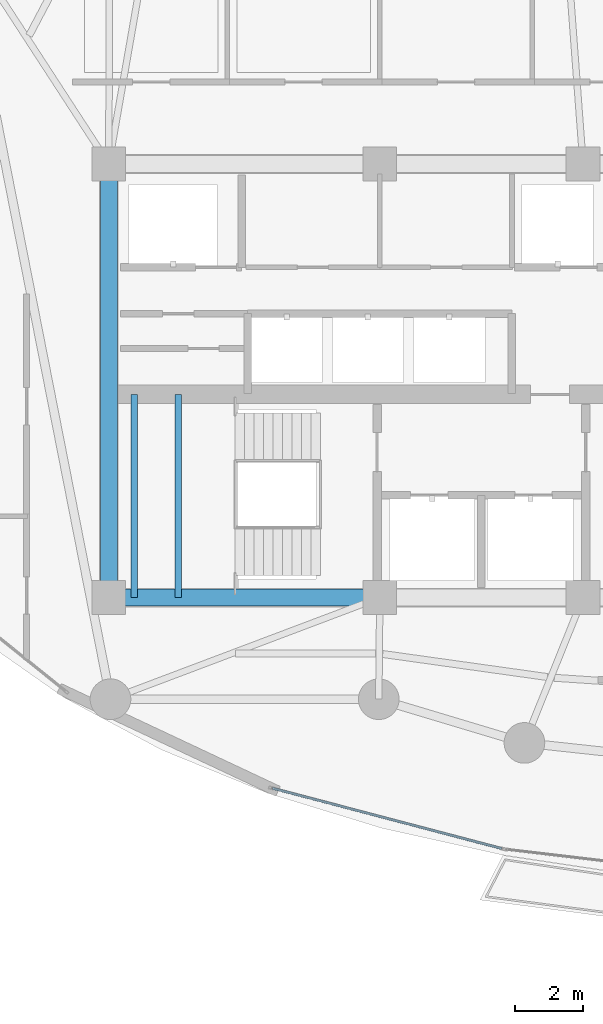
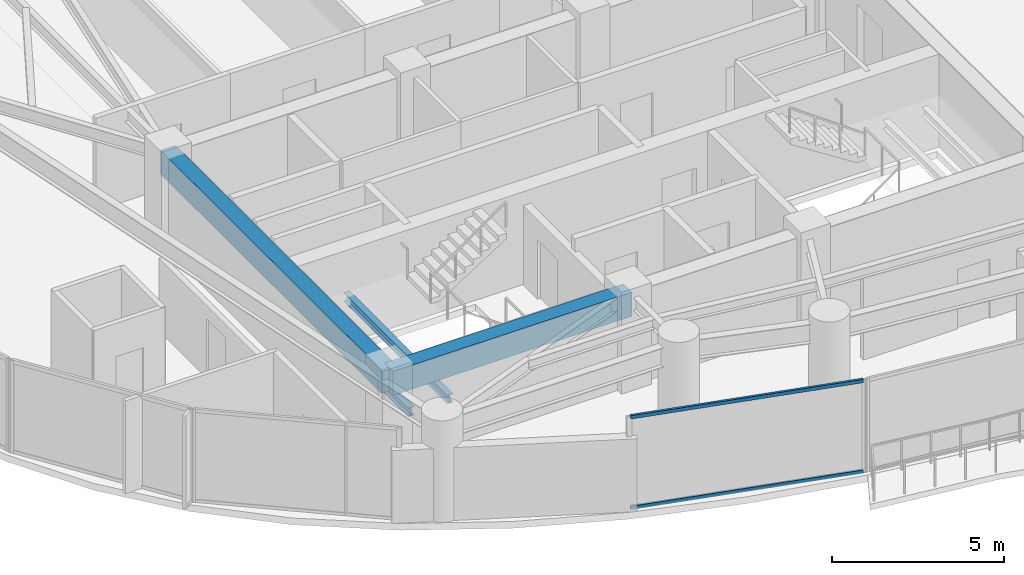
# One storey, part 4 of 33: 4 beams, 2 members, 1 element without a shape of its own.
"""IFC4 building model written with IfcOpenShell, lengths in metres."""

from ifc_helpers import new_model, si_unit, direction, frame, origin, origin_2d, place, context, subcontext, project, spatial, rectangle, hollow_rectangle, i_section, extrude, material, layer, layer_set, material_profile, profile_set, type_object, element, aggregate, save


model = new_model("IFC4")

# Units and contexts
model_context = context("Model", 3, precision=1e-05, world=origin(), true_north=direction((0.0, 1.0)))
body_context = subcontext(model_context, "Body", "Model", "MODEL_VIEW")
ifc_project = project(units=[si_unit("LENGTHUNIT", "METRE"), si_unit("AREAUNIT", "SQUARE_METRE"), si_unit("VOLUMEUNIT", "CUBIC_METRE"), si_unit("PLANEANGLEUNIT", "RADIAN"), si_unit("MASSUNIT", "GRAM", prefix="KILO")], contexts=[model_context])

# Site, building, storey
site_placement = place(None, origin())
site = spatial("IfcSite", under=ifc_project, at=site_placement, CompositionType="ELEMENT")
building_placement = place(site_placement, origin())
building = spatial("IfcBuilding", under=site, at=building_placement, Name="Kazevale Care Tower and Concert Hall", CompositionType="ELEMENT")
storey_placement = place(building_placement, frame((0.0, 0.0, 178.199951171875)))
storey = spatial("IfcBuildingStorey", under=building, at=storey_placement, Name="L47", CompositionType="ELEMENT", Elevation=178.199951171875)

# Curtain wall, members
ifc_material_1 = material(Name="Aluminium 6063-T6 and Low-E Glass", Category="aluminium")
ifc_layer = layer(ifc_material_1, 0.179931640625)
ifc_layer_set = layer_set([ifc_layer], Name="Aluminium 6063-T6 and Low-E Glass")
curtain_wall_type = type_object("IfcCurtainWallType", Name="Sheltered Concave Balcony Curtain Wall CW-5", PredefinedType="NOTDEFINED", material=ifc_layer_set)
curtain_wall_placement = place(storey_placement, origin())
curtain_wall = element("IfcCurtainWall", 1, at=curtain_wall_placement, inside=storey, type_object=curtain_wall_type, Name="cw:L47:f08", PredefinedType="NOTDEFINED")
ifc_material_2 = material(Name="Aluminium 6063-T6", Category="aluminium")
ifc_material_profile_1 = material_profile(ifc_material_2, hollow_rectangle(XDim=0.074951171875, YDim=0.1201171875, WallThickness=0.00390625, at=origin_2d()), Name="ALU75x120x4")
ifc_profile_set_1 = profile_set([ifc_material_profile_1], Name="Aluminium 6063-T6")
member_type = type_object("IfcMemberType", Name="CW-5 Transom ALU75x120x4", PredefinedType="USERDEFINED", material=ifc_profile_set_1)
member_1_placement = place(storey_placement, frame((33.598388671875, 16.193115234375, 0.03759765625), z_axis=(-0.967142752699, 0.254233939321, 0.0), x_axis=(-0.254233939321, -0.967142752699, 0.0)))
member_1 = element("IfcMember", 2, at=member_1_placement, type_object=member_type, Name="CW-5 transom 1.1", ObjectType="TRANSOM", PredefinedType="USERDEFINED", context=body_context, shape_type="SweptSolid", body=[
    extrude(hollow_rectangle(XDim=0.074951171875, YDim=0.1201171875, WallThickness=0.00390625, at=origin_2d()), origin(), (0.0, 0.0, 1.0), 6.996826171875),
])
member_2_placement = place(storey_placement, frame((33.598388671875, 16.193115234375, 3.242431640625), z_axis=(-0.967142752699, 0.254233939321, 0.0), x_axis=(-0.254233939321, -0.967142752699, 0.0)))
member_2 = element("IfcMember", 3, at=member_2_placement, type_object=member_type, Name="CW-5 transom 1.2", ObjectType="TRANSOM", PredefinedType="USERDEFINED", context=body_context, shape_type="SweptSolid", body=[
    extrude(hollow_rectangle(XDim=0.074951171875, YDim=0.1201171875, WallThickness=0.00390625, at=origin_2d()), origin(), (0.0, 0.0, 1.0), 6.996826171875),
])
aggregate(curtain_wall, [member_1, member_2])

# Beams
ifc_material_3 = material(Name="Concrete C60", Category="concrete")
ifc_material_profile_2 = material_profile(ifc_material_3, rectangle(XDim=0.5, YDim=0.85009765625, at=origin_2d()), Name="RC-B500x850")
ifc_profile_set_2 = profile_set([ifc_material_profile_2], Name="Concrete C60")
beam_type_1 = type_object("IfcBeamType", Name="Core Coupling Beam RC500x850", PredefinedType="LINTEL", material=ifc_profile_set_2)
beam_1_placement = place(storey_placement, frame((22.0, 23.60009765625, 2.85498046875), z_axis=(1.0, 0.0, 0.0), x_axis=(0.0, 1.0, 0.0)))
element("IfcBeam", 4, at=beam_1_placement, inside=storey, type_object=beam_type_1, Name="beam:L47:coretie:1", PredefinedType="LINTEL", context=body_context, shape_type="SweptSolid", body=[
    extrude(rectangle(XDim=0.5, YDim=0.85009765625, at=origin_2d()), origin(), (0.0, 0.0, 1.0), 8.0),
])
beam_2_placement = place(storey_placement, frame((22.0, 36.39990234375, 2.85498046875), z_axis=(0.0, -1.0, 0.0), x_axis=(1.0, 0.0, 0.0)))
element("IfcBeam", 5, at=beam_2_placement, inside=storey, type_object=beam_type_1, Name="beam:L47:coretie:8", PredefinedType="LINTEL", context=body_context, shape_type="SweptSolid", body=[
    extrude(rectangle(XDim=0.5, YDim=0.85009765625, at=origin_2d()), origin(), (0.0, 0.0, 1.0), 12.7998046875),
])
ifc_material_4 = material(Name="Steel ASTM A572 Gr 50", Category="steel")
ifc_material_profile_3 = material_profile(ifc_material_4, i_section(OverallWidth=0.202880859375, OverallDepth=0.302978515625, WebThickness=0.007568359375, FlangeThickness=0.01318359375, at=origin_2d()), Name="W310x60")
ifc_profile_set_3 = profile_set([ifc_material_profile_3], Name="Steel ASTM A572 Gr 50")
beam_type_2 = type_object("IfcBeamType", Name="Stair & Balcony Trimmer W310x60", PredefinedType="BEAM", material=ifc_profile_set_3)
for number, where, z_axis, x_axis, name in (
    (6, (22.75, 23.60009765625, 1.448486328125), (0.0, 1.0, 0.0), (-1.0, 0.0, 0.0), "beam:L47:sttrim:ST1"),
    (7, (24.050048828125, 23.60009765625, 1.448486328125), (0.0, 1.0, 0.0), (-1.0, 0.0, 0.0), "beam:L47:sttrim:ST1b"),
):
    element("IfcBeam", number, at=place(storey_placement, frame(where, z_axis=z_axis, x_axis=x_axis)), inside=storey, type_object=beam_type_2, Name=name, PredefinedType="BEAM", context=body_context, shape_type="SweptSolid", body=[
        extrude(i_section(OverallWidth=0.202880859375, OverallDepth=0.302978515625, WebThickness=0.007568359375, FlangeThickness=0.01318359375, at=origin_2d()), origin(), (0.0, 0.0, 1.0), 6.0),
    ])

save(model, "model.ifc")
